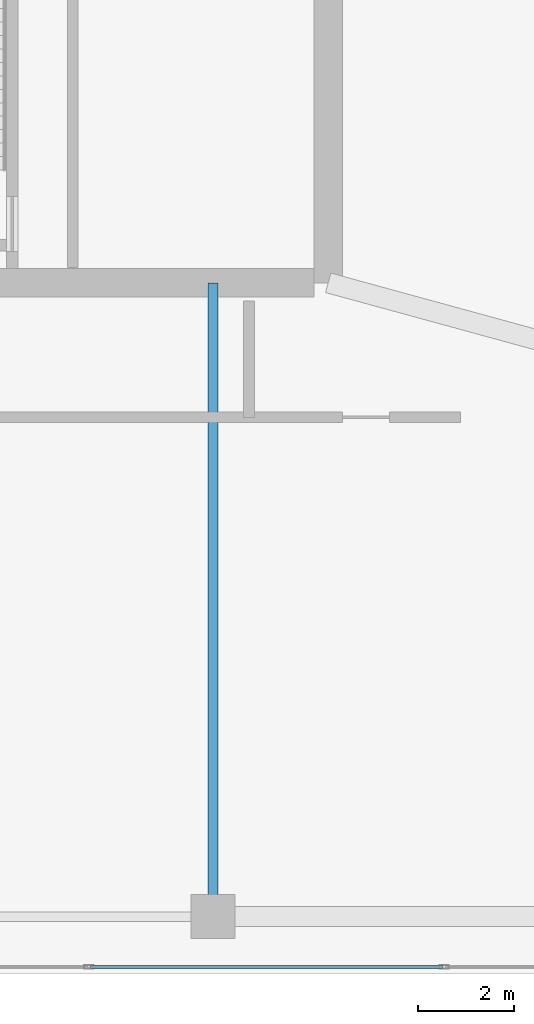
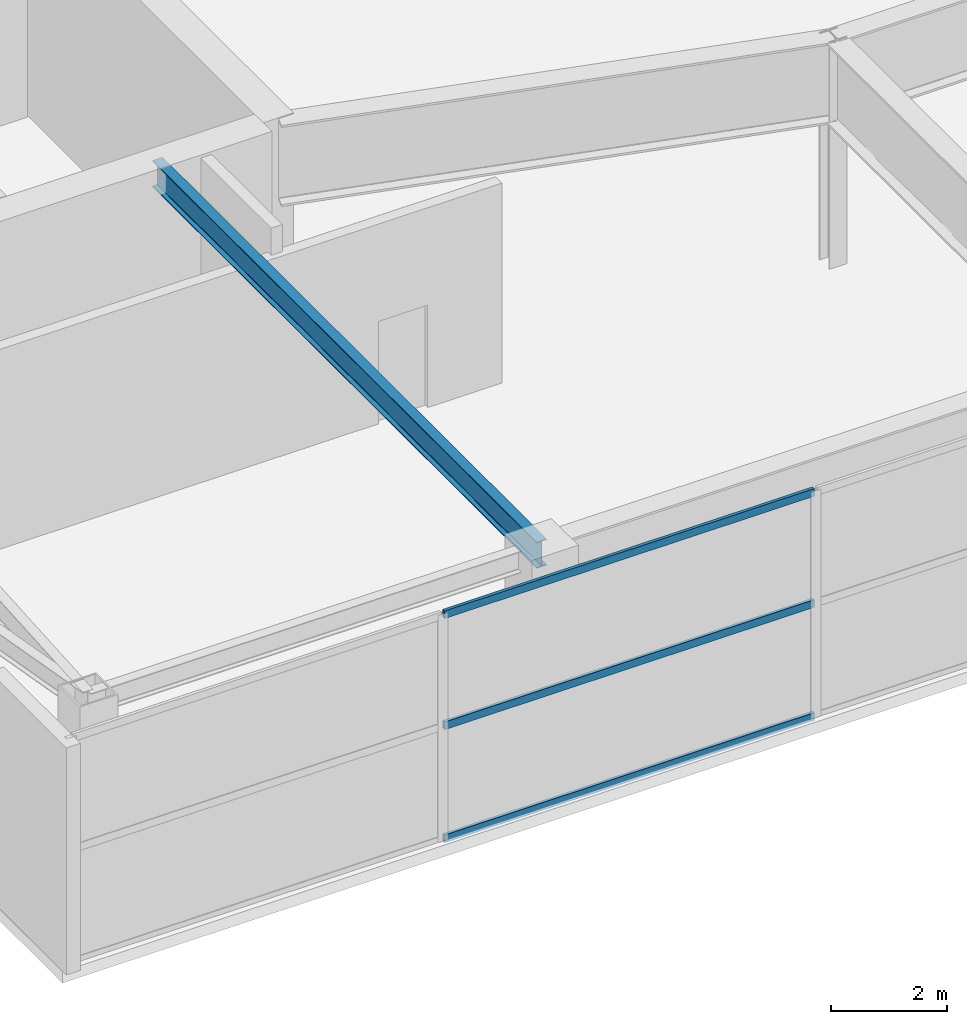
# One storey, part 5 of 21: 3 members, 1 beam, 1 element without a shape of its own.
"""IFC4 building model written with IfcOpenShell, lengths in metres."""

from ifc_helpers import new_model, si_unit, direction, frame, origin, origin_2d, place, context, subcontext, project, spatial, hollow_rectangle, i_section, extrude, material, layer, layer_set, material_profile, profile_set, type_object, element, aggregate, save


model = new_model("IFC4")

# Units and contexts
model_context = context("Model", 3, precision=1e-05, world=origin(), true_north=direction((0.0, 1.0)))
body_context = subcontext(model_context, "Body", "Model", "MODEL_VIEW")
ifc_project = project(units=[si_unit("LENGTHUNIT", "METRE"), si_unit("AREAUNIT", "SQUARE_METRE"), si_unit("VOLUMEUNIT", "CUBIC_METRE"), si_unit("PLANEANGLEUNIT", "RADIAN"), si_unit("MASSUNIT", "GRAM", prefix="KILO")], contexts=[model_context])

# Site, building, storey
site_placement = place(None, origin())
site = spatial("IfcSite", under=ifc_project, at=site_placement, CompositionType="ELEMENT")
building_placement = place(site_placement, origin())
building = spatial("IfcBuilding", under=site, at=building_placement, Name="Calvorn Quay Hotel", CompositionType="ELEMENT")
storey_placement = place(building_placement, frame((0.0, 0.0, 320.5)))
storey = spatial("IfcBuildingStorey", under=building, at=storey_placement, Name="L79", CompositionType="ELEMENT", Elevation=320.5)

# Beam
ifc_material_1 = material(Name="Steel Q355B", Category="steel")
ifc_material_profile_1 = material_profile(ifc_material_1, i_section(OverallWidth=0.199951171875, OverallDepth=0.550048828125, WebThickness=0.010009765625, FlangeThickness=0.01611328125, FilletRadius=0.01806640625, at=origin_2d()), Name="HN550x200x10x16")
ifc_profile_set_1 = profile_set([ifc_material_profile_1], Name="Steel Q355B")
beam_type = type_object("IfcBeamType", Name="BM-GIRD-UPP", PredefinedType="BEAM", material=ifc_profile_set_1)
beam_placement = place(storey_placement, frame((12.60009765625, 3.60009765625, 4.465087890625), z_axis=(0.0, 1.0, 0.0), x_axis=(-1.0, 0.0, 0.0)))
element("IfcBeam", 1, at=beam_placement, inside=storey, type_object=beam_type, Name="Beam BG-L79-CS1", PredefinedType="BEAM", context=body_context, shape_type="SweptSolid", body=[
    extrude(i_section(OverallWidth=0.199951171875, OverallDepth=0.550048828125, WebThickness=0.010009765625, FlangeThickness=0.01611328125, FilletRadius=0.01806640625, at=origin_2d()), origin(), (0.0, 0.0, 1.0), 13.199951171875),
])

# Curtain wall, members
ifc_material_2 = material(Name="Pale Anodised Aluminium and Laminated Glass", Category="aluminium")
ifc_layer = layer(ifc_material_2, 0.219970703125)
ifc_layer_set = layer_set([ifc_layer], Name="CW-SYS-CRN")
curtain_wall_type = type_object("IfcCurtainWallType", Name="CW-SYS-CRN", PredefinedType="NOTDEFINED", material=ifc_layer_set)
curtain_wall_placement = place(storey_placement, origin())
curtain_wall = element("IfcCurtainWall", 2, at=curtain_wall_placement, inside=storey, type_object=curtain_wall_type, Name="Crown Curtain Wall L79-C1", PredefinedType="NOTDEFINED")
ifc_material_3 = material(Name="Pale Anodised Aluminium 6063-T6", Category="aluminium")
ifc_material_profile_2 = material_profile(ifc_material_3, hollow_rectangle(XDim=0.06201171875, YDim=0.159912109375, WallThickness=0.00341796875, at=origin_2d()), Name="ALU-T160x62x3.5")
ifc_profile_set_2 = profile_set([ifc_material_profile_2], Name="Pale Anodised Aluminium 6063-T6")
member_type = type_object("IfcMemberType", Name="CW-SYS-CRN-TRN", PredefinedType="USERDEFINED", material=ifc_profile_set_2)
member_1_placement = place(storey_placement, frame((10.04833984375, 2.550048828125, 0.030029296875), z_axis=(1.0, 0.0, 0.0), x_axis=(0.0, 1.0, 0.0)))
member_1 = element("IfcMember", 3, at=member_1_placement, type_object=member_type, Name="CW-L79-C1 transom 2.1", ObjectType="TRANSOM", PredefinedType="USERDEFINED", context=body_context, shape_type="SweptSolid", body=[
    extrude(hollow_rectangle(XDim=0.06201171875, YDim=0.159912109375, WallThickness=0.00341796875, at=origin_2d()), origin(), (0.0, 0.0, 1.0), 7.338134765625),
])
member_2_placement = place(storey_placement, frame((10.04833984375, 2.550048828125, 2.39990234375), z_axis=(1.0, 0.0, 0.0), x_axis=(0.0, 1.0, 0.0)))
member_2 = element("IfcMember", 4, at=member_2_placement, type_object=member_type, Name="CW-L79-C1 transom 2.2", ObjectType="TRANSOM", PredefinedType="USERDEFINED", context=body_context, shape_type="SweptSolid", body=[
    extrude(hollow_rectangle(XDim=0.06201171875, YDim=0.159912109375, WallThickness=0.00341796875, at=origin_2d()), origin(), (0.0, 0.0, 1.0), 7.338134765625),
])
member_3_placement = place(storey_placement, frame((10.04833984375, 2.550048828125, 4.72998046875), z_axis=(1.0, 0.0, 0.0), x_axis=(0.0, 1.0, 0.0)))
member_3 = element("IfcMember", 5, at=member_3_placement, type_object=member_type, Name="CW-L79-C1 transom 2.3", ObjectType="TRANSOM", PredefinedType="USERDEFINED", context=body_context, shape_type="SweptSolid", body=[
    extrude(hollow_rectangle(XDim=0.06201171875, YDim=0.159912109375, WallThickness=0.00341796875, at=origin_2d()), origin(), (0.0, 0.0, 1.0), 7.338134765625),
])
aggregate(curtain_wall, [member_1, member_2, member_3])

save(model, "model.ifc")
